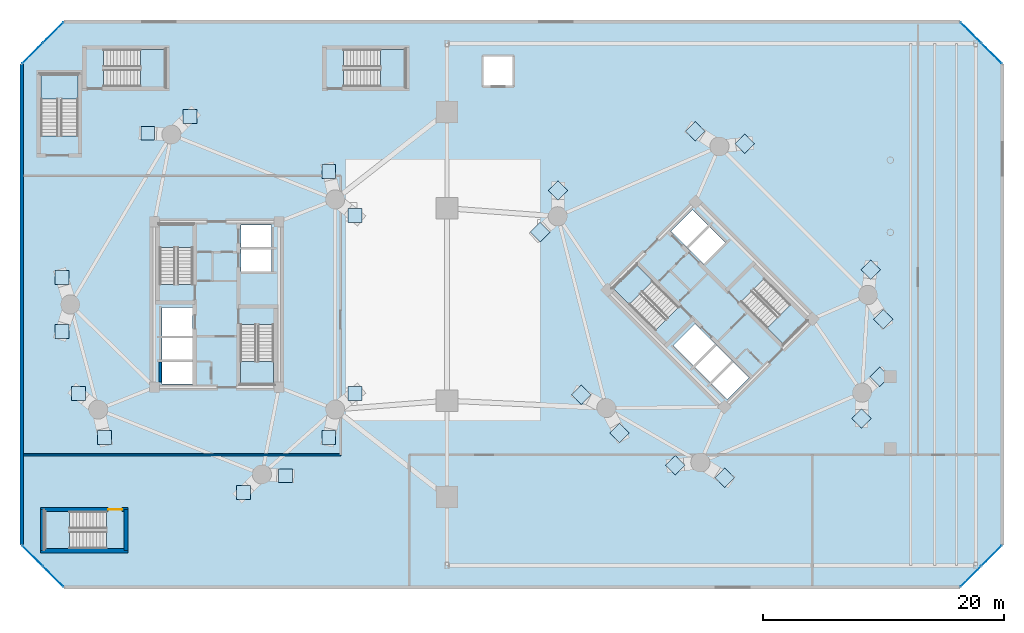
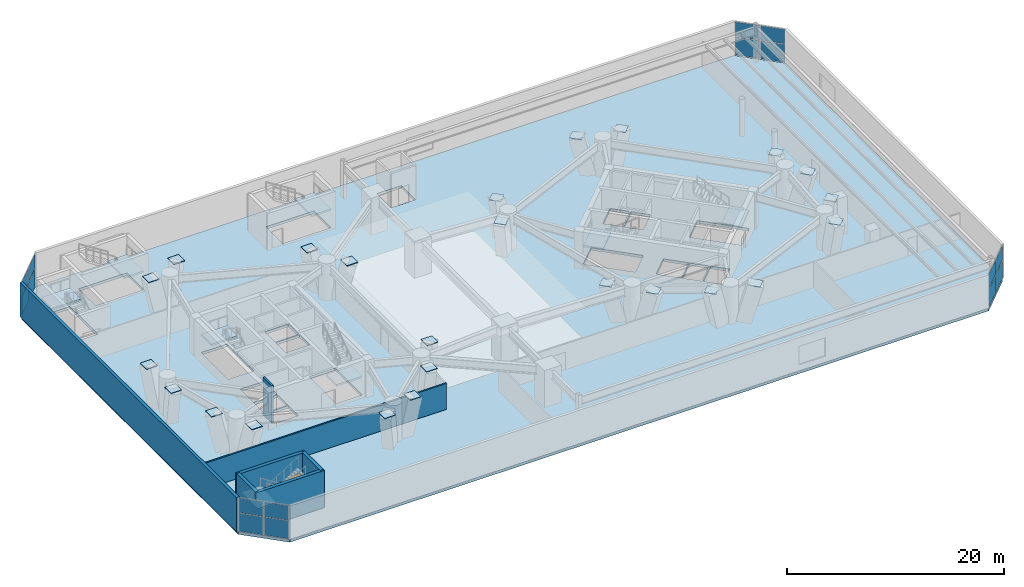
# One storey, part 10 of 20: 40 plates, 9 slabs, 7 walls, 1 door, 1 opening, 12 elements without a shape of their own.
"""IFC4 building model written with IfcOpenShell, lengths in metres."""

from ifc_helpers import new_model, si_unit, direction, frame, frame_2d, origin, origin_2d, place, context, subcontext, project, spatial, polyline, rectangle, outline, extrude, source, transform, mapped, material, layer, layer_set, type_object, element, fill, aggregate, save


model = new_model("IFC4")

# Units and contexts
model_context = context("Model", 3, precision=1e-05, world=origin(), true_north=direction((0.0, 1.0)))
body_context = subcontext(model_context, "Body", "Model", "MODEL_VIEW")
ifc_project = project(units=[si_unit("LENGTHUNIT", "METRE"), si_unit("AREAUNIT", "SQUARE_METRE"), si_unit("VOLUMEUNIT", "CUBIC_METRE"), si_unit("PLANEANGLEUNIT", "RADIAN"), si_unit("MASSUNIT", "GRAM", prefix="KILO")], contexts=[model_context])

# Site, building, storey
site_placement = place(None, origin())
site = spatial("IfcSite", under=ifc_project, at=site_placement, CompositionType="ELEMENT")
building_placement = place(site_placement, origin())
building = spatial("IfcBuilding", under=site, at=building_placement, Name="Cununo Teusaquillo Station Towers", CompositionType="ELEMENT")
storey_placement = place(building_placement, frame((0.0, 0.0, 4.800048828125)))
storey = spatial("IfcBuildingStorey", under=building, at=storey_placement, Name="L01", CompositionType="ELEMENT", Elevation=4.800048828125)

# Slab
ifc_material_1 = material(Name="Concrete C50/60", Category="concrete")
ifc_layer_1 = layer(ifc_material_1, 0.300048828125)
ifc_layer_set_1 = layer_set([ifc_layer_1], Name="Concrete C50/60")
slab_type_1 = type_object("IfcSlabType", Name="SLB-POD-300", PredefinedType="FLOOR", material=ifc_layer_set_1)
slab_1_placement = place(storey_placement, frame((0.0, 0.0, -0.300048828125)))
element("IfcSlab", 1, at=slab_1_placement, inside=storey, type_object=slab_type_1, Name="L01 Structural Slab", PredefinedType="FLOOR", context=body_context, shape_type="SweptSolid", body=[
    extrude(outline(polyline([(3.800048828125, 1.0), (78.300048828125, 1.0), (81.800048828125, 4.5), (81.800048828125, 44.5), (78.300048828125, 48.0), (3.800048828125, 48.0), (0.300048828125, 44.5), (0.300048828125, 4.5), (3.800048828125, 1.0)]), holes=[polyline([(14.52001953125, 26.176025390625), (14.52001953125, 31.159912109375), (11.760009765625, 31.159912109375), (11.760009765625, 26.176025390625), (14.52001953125, 26.176025390625)]), polyline([(18.47998046875, 22.823974609375), (18.47998046875, 17.840087890625), (21.239990234375, 17.840087890625), (21.239990234375, 22.823974609375), (18.47998046875, 22.823974609375)]), polyline([(54.914794921875, 24.28515625), (51.390625, 27.809326171875), (49.43896484375, 25.857666015625), (52.963134765625, 22.33349609375), (54.914794921875, 24.28515625)]), polyline([(60.085205078125, 24.71484375), (63.609375, 21.190673828125), (65.56103515625, 23.142333984375), (62.036865234375, 26.66650390625), (60.085205078125, 24.71484375)]), polyline([(27.055908203125, 42.60009765625), (32.199951171875, 42.60009765625), (32.199951171875, 45.699951171875), (27.055908203125, 45.699951171875), (27.055908203125, 42.60009765625)]), polyline([(7.343994140625, 7.300048828125), (2.199951171875, 7.300048828125), (2.199951171875, 4.199951171875), (7.343994140625, 4.199951171875), (7.343994140625, 7.300048828125)]), polyline([(4.97998046875, 38.506103515625), (4.97998046875, 43.64990234375), (1.8798828125, 43.64990234375), (1.8798828125, 38.506103515625), (4.97998046875, 38.506103515625)]), polyline([(7.10595703125, 42.60009765625), (12.25, 42.60009765625), (12.25, 45.699951171875), (7.10595703125, 45.699951171875), (7.10595703125, 42.60009765625)]), polyline([(11.949951171875, 21.85009765625), (14.47998046875, 21.85009765625), (14.47998046875, 24.25), (11.949951171875, 24.25), (11.949951171875, 21.85009765625)]), polyline([(11.949951171875, 17.89990234375), (14.47998046875, 17.89990234375), (14.47998046875, 19.75), (11.949951171875, 19.75), (11.949951171875, 17.89990234375)]), polyline([(11.949951171875, 19.89990234375), (14.47998046875, 19.89990234375), (14.47998046875, 21.75), (11.949951171875, 21.75), (11.949951171875, 19.89990234375)]), polyline([(18.52001953125, 27.25), (21.050048828125, 27.25), (21.050048828125, 29.10009765625), (18.52001953125, 29.10009765625), (18.52001953125, 27.25)]), polyline([(18.52001953125, 29.25), (21.050048828125, 29.25), (21.050048828125, 31.10009765625), (18.52001953125, 31.10009765625), (18.52001953125, 29.25)]), polyline([(56.156494140625, 19.40869140625), (57.945556640625, 21.19775390625), (56.248291015625, 22.89501953125), (54.45947265625, 21.10595703125), (56.156494140625, 19.40869140625)]), polyline([(58.94970703125, 16.61572265625), (60.738525390625, 18.40478515625), (59.430419921875, 19.712890625), (57.641357421875, 17.923828125), (58.94970703125, 16.61572265625)]), polyline([(57.535400390625, 18.030029296875), (59.32421875, 19.819091796875), (58.01611328125, 21.127197265625), (56.227294921875, 19.338134765625), (57.535400390625, 18.030029296875)]), polyline([(56.98388671875, 27.872802734375), (58.772705078125, 29.661865234375), (57.464599609375, 30.969970703125), (55.67578125, 29.180908203125), (56.98388671875, 27.872802734375)]), polyline([(55.569580078125, 29.287109375), (57.358642578125, 31.076171875), (56.05029296875, 32.38427734375), (54.261474609375, 30.59521484375), (55.569580078125, 29.287109375)]), polyline([(38.60009765625, 42.60009765625), (41.199951171875, 42.60009765625), (41.199951171875, 45.199951171875), (38.60009765625, 45.199951171875), (38.60009765625, 42.60009765625)])]), origin(), (0.0, 0.0, 1.0), 0.300048828125),
])

# Stair, slab
ifc_material_2 = material(Name="Concrete C50/60", Category="concrete")
stair_type_1 = type_object("IfcStairType", Name="ST-TWR-1300", PredefinedType="HALF_TURN_STAIR", material=ifc_material_2)
stair_1_placement = place(storey_placement, origin())
stair_1 = element("IfcStair", 2, at=stair_1_placement, inside=storey, type_object=stair_type_1, Name="L01 Tower A Protected Core Exit Stair 1", PredefinedType="HALF_TURN_STAIR")
ifc_material_3 = material(Name="Concrete C50/60", Category="concrete")
ifc_layer_2 = layer(ifc_material_3, 0.199951171875)
ifc_layer_set_2 = layer_set([ifc_layer_2], Name="Concrete C50/60")
slab_type_2 = type_object("IfcSlabType", Name="SLB-STAIR-LND", PredefinedType="LANDING", material=ifc_layer_set_2)
slab_2_placement = place(storey_placement, frame((0.0, 0.0, 1.89990234375)))
slab_2 = element("IfcSlab", 3, at=slab_2_placement, type_object=slab_type_2, Name="ST-T1-1 landing 1", PredefinedType="LANDING", context=body_context, shape_type="SweptSolid", body=[
    extrude(outline(polyline([(14.52001953125, 29.25), (14.52001953125, 31.159912109375), (11.760009765625, 31.159912109375), (11.760009765625, 29.25), (14.52001953125, 29.25)])), origin(), (0.0, 0.0, 1.0), 0.199951171875),
])
aggregate(stair_1, [slab_2])

stair_2_placement = place(storey_placement, origin())
stair_2 = element("IfcStair", 4, at=stair_2_placement, inside=storey, type_object=stair_type_1, Name="L01 Tower A Protected Core Exit Stair 2", PredefinedType="HALF_TURN_STAIR")
slab_3_placement = place(storey_placement, frame((0.0, 0.0, 1.89990234375)))
slab_3 = element("IfcSlab", 5, at=slab_3_placement, type_object=slab_type_2, Name="ST-T1-2 landing 1", PredefinedType="LANDING", context=body_context, shape_type="SweptSolid", body=[
    extrude(outline(polyline([(18.47998046875, 19.75), (18.47998046875, 17.840087890625), (21.239990234375, 17.840087890625), (21.239990234375, 19.75), (18.47998046875, 19.75)])), origin(), (0.0, 0.0, 1.0), 0.199951171875),
])
aggregate(stair_2, [slab_3])

stair_3_placement = place(storey_placement, origin())
stair_3 = element("IfcStair", 6, at=stair_3_placement, inside=storey, type_object=stair_type_1, Name="L01 Tower B Protected Core Exit Stair 1", PredefinedType="HALF_TURN_STAIR")
slab_4_placement = place(storey_placement, frame((0.0, 0.0, 1.89990234375)))
slab_4 = element("IfcSlab", 7, at=slab_4_placement, type_object=slab_type_2, Name="ST-T2-1 landing 1", PredefinedType="LANDING", context=body_context, shape_type="SweptSolid", body=[
    extrude(outline(polyline([(52.7412109375, 26.458740234375), (51.390625, 27.809326171875), (49.43896484375, 25.857666015625), (50.78955078125, 24.507080078125), (52.7412109375, 26.458740234375)])), origin(), (0.0, 0.0, 1.0), 0.199951171875),
])
aggregate(stair_3, [slab_4])

stair_4_placement = place(storey_placement, origin())
stair_4 = element("IfcStair", 8, at=stair_4_placement, inside=storey, type_object=stair_type_1, Name="L01 Tower B Protected Core Exit Stair 2", PredefinedType="HALF_TURN_STAIR")
slab_5_placement = place(storey_placement, frame((0.0, 0.0, 1.89990234375)))
slab_5 = element("IfcSlab", 9, at=slab_5_placement, type_object=slab_type_2, Name="ST-T2-2 landing 1", PredefinedType="LANDING", context=body_context, shape_type="SweptSolid", body=[
    extrude(outline(polyline([(62.2587890625, 22.541259765625), (63.609375, 21.190673828125), (65.56103515625, 23.142333984375), (64.21044921875, 24.492919921875), (62.2587890625, 22.541259765625)])), origin(), (0.0, 0.0, 1.0), 0.199951171875),
])
aggregate(stair_4, [slab_5])

ifc_material_4 = material(Name="Concrete C50/60", Category="concrete")
stair_type_2 = type_object("IfcStairType", Name="ST-POD-1450", PredefinedType="HALF_TURN_STAIR", material=ifc_material_4)
stair_5_placement = place(storey_placement, origin())
stair_5 = element("IfcStair", 10, at=stair_5_placement, inside=storey, type_object=stair_type_2, Name="L01 Station Podium North Protected Exit Stair", PredefinedType="HALF_TURN_STAIR")
slab_6_placement = place(storey_placement, frame((0.0, 0.0, 1.89990234375)))
slab_6 = element("IfcSlab", 11, at=slab_6_placement, type_object=slab_type_2, Name="ST-POD-N landing 1", PredefinedType="LANDING", context=body_context, shape_type="SweptSolid", body=[
    extrude(outline(polyline([(30.1298828125, 42.60009765625), (32.199951171875, 42.60009765625), (32.199951171875, 45.699951171875), (30.1298828125, 45.699951171875), (30.1298828125, 42.60009765625)])), origin(), (0.0, 0.0, 1.0), 0.199951171875),
])
aggregate(stair_5, [slab_6])

stair_6_placement = place(storey_placement, origin())
stair_6 = element("IfcStair", 12, at=stair_6_placement, inside=storey, type_object=stair_type_2, Name="L01 Station Podium South Protected Exit Stair", PredefinedType="HALF_TURN_STAIR")
slab_7_placement = place(storey_placement, frame((0.0, 0.0, 1.89990234375)))
slab_7 = element("IfcSlab", 13, at=slab_7_placement, type_object=slab_type_2, Name="ST-POD-S landing 1", PredefinedType="LANDING", context=body_context, shape_type="SweptSolid", body=[
    extrude(outline(polyline([(4.27001953125, 7.300048828125), (2.199951171875, 7.300048828125), (2.199951171875, 4.199951171875), (4.27001953125, 4.199951171875), (4.27001953125, 7.300048828125)])), origin(), (0.0, 0.0, 1.0), 0.199951171875),
])
aggregate(stair_6, [slab_7])

stair_7_placement = place(storey_placement, origin())
stair_7 = element("IfcStair", 14, at=stair_7_placement, inside=storey, type_object=stair_type_2, Name="L01 Station Podium West Protected Exit Stair", PredefinedType="HALF_TURN_STAIR")
slab_8_placement = place(storey_placement, frame((0.0, 0.0, 1.89990234375)))
slab_8 = element("IfcSlab", 15, at=slab_8_placement, type_object=slab_type_2, Name="ST-POD-W landing 1", PredefinedType="LANDING", context=body_context, shape_type="SweptSolid", body=[
    extrude(outline(polyline([(4.97998046875, 41.580078125), (4.97998046875, 43.64990234375), (1.8798828125, 43.64990234375), (1.8798828125, 41.580078125), (4.97998046875, 41.580078125)])), origin(), (0.0, 0.0, 1.0), 0.199951171875),
])
aggregate(stair_7, [slab_8])

stair_8_placement = place(storey_placement, origin())
stair_8 = element("IfcStair", 16, at=stair_8_placement, inside=storey, type_object=stair_type_2, Name="L01 Station Podium North-West Protected Exit Stair", PredefinedType="HALF_TURN_STAIR")
slab_9_placement = place(storey_placement, frame((0.0, 0.0, 1.89990234375)))
slab_9 = element("IfcSlab", 17, at=slab_9_placement, type_object=slab_type_2, Name="ST-POD-C landing 1", PredefinedType="LANDING", context=body_context, shape_type="SweptSolid", body=[
    extrude(outline(polyline([(10.179931640625, 42.60009765625), (12.25, 42.60009765625), (12.25, 45.699951171875), (10.179931640625, 45.699951171875), (10.179931640625, 42.60009765625)])), origin(), (0.0, 0.0, 1.0), 0.199951171875),
])
aggregate(stair_8, [slab_9])

# Plates
ifc_material_5 = material(Name="Steel ASTM A572 Grade 50", Category="steel")
ifc_layer_3 = layer(ifc_material_5, 0.06005859375)
ifc_layer_set_3 = layer_set([ifc_layer_3], Name="Steel ASTM A572 Grade 50")
plate_type_1 = type_object("IfcPlateType", Name="PLT-NODE-BDN1", PredefinedType="USERDEFINED", material=ifc_layer_set_3)
shared_shape_1 = source(origin(), body_context, "Body", "SweptSolid", [
    extrude(rectangle(XDim=1.14990234375, YDim=1.14990234375, at=origin_2d()), origin(), (0.0, 0.0, 1.0), 0.06005859375),
])
for number, where, z_axis, x_axis, name in (
    (18, (27.988037109375, 31.90673828125, 4.139892578125), (0.0, 0.0, 1.0), (1.0, 0.0, 0.0), "L01 Tower A V-Foot Pier Head Plate V02L"),
    (19, (25.822509765625, 35.545654296875, 4.139892578125), (0.0, 0.0, 1.0), (1.0, 0.0, 0.0), "L01 Tower A V-Foot Pier Head Plate V02R"),
    (20, (14.27734375, 40.123291015625, 4.139892578125), (0.0, 0.0, 1.0), (1.0, 0.0, 0.0), "L01 Tower A V-Foot Pier Head Plate V06L"),
    (21, (10.773681640625, 38.7333984375, 4.139892578125), (0.0, 0.0, 1.0), (1.0, 0.0, 0.0), "L01 Tower A V-Foot Pier Head Plate V06R"),
    (22, (3.63818359375, 26.748779296875, 4.139892578125), (0.0, 0.0, 1.0), (1.0, 0.0, 0.0), "L01 Tower A V-Foot Pier Head Plate V10L"),
    (23, (3.63818359375, 22.251220703125, 4.139892578125), (0.0, 0.0, 1.0), (1.0, 0.0, 0.0), "L01 Tower A V-Foot Pier Head Plate V10R"),
    (24, (5.011962890625, 17.09326171875, 4.139892578125), (0.0, 0.0, 1.0), (1.0, 0.0, 0.0), "L01 Tower A V-Foot Pier Head Plate V12L"),
    (25, (7.177490234375, 13.454345703125, 4.139892578125), (0.0, 0.0, 1.0), (1.0, 0.0, 0.0), "L01 Tower A V-Foot Pier Head Plate V12R"),
    (26, (18.72265625, 8.876708984375, 4.139892578125), (0.0, 0.0, 1.0), (1.0, 0.0, 0.0), "L01 Tower A V-Foot Pier Head Plate V16L"),
    (27, (22.226318359375, 10.2666015625, 4.139892578125), (0.0, 0.0, 1.0), (1.0, 0.0, 0.0), "L01 Tower A V-Foot Pier Head Plate V16R"),
    (28, (25.822509765625, 13.454345703125, 4.139892578125), (0.0, 0.0, 1.0), (1.0, 0.0, 0.0), "L01 Tower A V-Foot Pier Head Plate V18L"),
    (29, (27.988037109375, 17.09326171875, 4.139892578125), (0.0, 0.0, 1.0), (1.0, 0.0, 0.0), "L01 Tower A V-Foot Pier Head Plate V18R"),
    (30, (60.385986328125, 37.860595703125, 4.139892578125), (0.0, 0.0, 1.0), (0.707106781187, 0.707106781187, 0.0), "L01 Tower B V-Foot Pier Head Plate V02L"),
    (31, (56.281494140625, 38.902587890625, 4.139892578125), (0.0, 0.0, 1.0), (0.707106781187, 0.707106781187, 0.0), "L01 Tower B V-Foot Pier Head Plate V02R"),
    (32, (44.881103515625, 33.9755859375, 4.139892578125), (0.0, 0.0, 1.0), (0.707106781187, 0.707106781187, 0.0), "L01 Tower B V-Foot Pier Head Plate V06L"),
    (33, (43.386474609375, 30.515380859375, 4.139892578125), (0.0, 0.0, 1.0), (0.707106781187, 0.707106781187, 0.0), "L01 Tower B V-Foot Pier Head Plate V06R"),
    (34, (46.815185546875, 16.99560546875, 4.139892578125), (0.0, 0.0, 1.0), (0.707106781187, 0.707106781187, 0.0), "L01 Tower B V-Foot Pier Head Plate V10L"),
    (35, (49.99560546875, 13.815185546875, 4.139892578125), (0.0, 0.0, 1.0), (0.707106781187, 0.707106781187, 0.0), "L01 Tower B V-Foot Pier Head Plate V10R"),
    (36, (54.614013671875, 11.139404296875, 4.139892578125), (0.0, 0.0, 1.0), (0.707106781187, 0.707106781187, 0.0), "L01 Tower B V-Foot Pier Head Plate V12L"),
    (37, (58.718505859375, 10.097412109375, 4.139892578125), (0.0, 0.0, 1.0), (0.707106781187, 0.707106781187, 0.0), "L01 Tower B V-Foot Pier Head Plate V12R"),
    (38, (70.118896484375, 15.0244140625, 4.139892578125), (0.0, 0.0, 1.0), (0.707106781187, 0.707106781187, 0.0), "L01 Tower B V-Foot Pier Head Plate V16L"),
    (39, (71.613525390625, 18.484619140625, 4.139892578125), (0.0, 0.0, 1.0), (0.707106781187, 0.707106781187, 0.0), "L01 Tower B V-Foot Pier Head Plate V16R"),
    (40, (71.902587890625, 23.281494140625, 4.139892578125), (0.0, 0.0, 1.0), (0.707106781187, 0.707106781187, 0.0), "L01 Tower B V-Foot Pier Head Plate V18L"),
    (41, (70.860595703125, 27.385986328125, 4.139892578125), (0.0, 0.0, 1.0), (0.707106781187, 0.707106781187, 0.0), "L01 Tower B V-Foot Pier Head Plate V18R"),
):
    element("IfcPlate", number, at=place(storey_placement, frame(where, z_axis=z_axis, x_axis=x_axis)), inside=storey, type_object=plate_type_1, Name=name, ObjectType="BASE PLATE", PredefinedType="USERDEFINED", context=body_context, shape_type="MappedRepresentation", body=[
        mapped(shared_shape_1, transform((0.0, 0.0, 0.0), x_axis=(1.0, 0.0, 0.0), y_axis=(0.0, 1.0, 0.0), z_axis=(0.0, 0.0, 1.0), scale=1.0)),
    ])

# Curtain wall, plates
ifc_material_6 = material(Name="Ceramic-fritted dark low-E double glazing", Category="glass")
ifc_layer_4 = layer(ifc_material_6, 0.179931640625)
ifc_layer_set_4 = layer_set([ifc_layer_4], Name="Ceramic-fritted dark low-E double glazing")
curtain_wall_type = type_object("IfcCurtainWallType", Name="CW-SYS-01", PredefinedType="USERDEFINED", material=ifc_layer_set_4)
curtain_wall_1_placement = place(storey_placement, origin())
curtain_wall_1 = element("IfcCurtainWall", 42, at=curtain_wall_1_placement, inside=storey, type_object=curtain_wall_type, Name="L01 Station Podium Corner Curtain Wall 2", ObjectType="FRITTED GLAZING", PredefinedType="USERDEFINED")
ifc_material_7 = material(Name="Ceramic-fritted dark low-E double glazing", Category="glass")
ifc_layer_5 = layer(ifc_material_7, 0.028076171875)
ifc_layer_set_5 = layer_set([ifc_layer_5], Name="Ceramic-fritted dark low-E double glazing")
plate_type_2 = type_object("IfcPlateType", Name="CWP-FRIT-28", PredefinedType="CURTAIN_PANEL", material=ifc_layer_set_5)
shared_shape_2 = source(origin(), body_context, "Body", "SweptSolid", [
    extrude(rectangle(XDim=2.35498046875, YDim=0.028076171875, at=origin_2d()), origin(), (0.0, 0.0, 1.0), 2.031982421875),
])
plate_1_placement = place(storey_placement, frame((1.189208984375, 45.38916015625, 0.06982421875), z_axis=(0.0, 0.0, 1.0), x_axis=(0.707106781187, 0.707106781187, 0.0)))
plate_1 = element("IfcPlate", 43, at=plate_1_placement, type_object=plate_type_2, Name="CW-01 panel 1.1", PredefinedType="CURTAIN_PANEL", context=body_context, shape_type="MappedRepresentation", body=[
    mapped(shared_shape_2, transform((0.0, 0.0, 0.0), x_axis=(1.0, 0.0, 0.0), y_axis=(0.0, 1.0, 0.0), z_axis=(0.0, 0.0, 1.0), scale=1.0)),
])
plate_2_placement = place(storey_placement, frame((2.910888671875, 47.11083984375, 0.06982421875), z_axis=(0.0, 0.0, 1.0), x_axis=(0.707106781187, 0.707106781187, 0.0)))
plate_2 = element("IfcPlate", 44, at=plate_2_placement, type_object=plate_type_2, Name="CW-01 panel 2.1", PredefinedType="CURTAIN_PANEL", context=body_context, shape_type="MappedRepresentation", body=[
    mapped(shared_shape_2, transform((0.0, 0.0, 0.0), x_axis=(1.0, 0.0, 0.0), y_axis=(0.0, 1.0, 0.0), z_axis=(0.0, 0.0, 1.0), scale=1.0)),
])

curtain_wall_2_placement = place(storey_placement, origin())
curtain_wall_2 = element("IfcCurtainWall", 45, at=curtain_wall_2_placement, inside=storey, type_object=curtain_wall_type, Name="L01 Station Podium Corner Curtain Wall 4", ObjectType="FRITTED GLAZING", PredefinedType="USERDEFINED")
plate_3_placement = place(storey_placement, frame((79.189208984375, 47.11083984375, 0.06982421875), z_axis=(0.0, 0.0, 1.0), x_axis=(0.707106781187, -0.707106781187, 0.0)))
plate_3 = element("IfcPlate", 46, at=plate_3_placement, type_object=plate_type_2, Name="CW-01 panel 1.1", PredefinedType="CURTAIN_PANEL", context=body_context, shape_type="MappedRepresentation", body=[
    mapped(shared_shape_2, transform((0.0, 0.0, 0.0), x_axis=(1.0, 0.0, 0.0), y_axis=(0.0, 1.0, 0.0), z_axis=(0.0, 0.0, 1.0), scale=1.0)),
])
plate_4_placement = place(storey_placement, frame((80.910888671875, 45.38916015625, 0.06982421875), z_axis=(0.0, 0.0, 1.0), x_axis=(0.707106781187, -0.707106781187, 0.0)))
plate_4 = element("IfcPlate", 47, at=plate_4_placement, type_object=plate_type_2, Name="CW-01 panel 2.1", PredefinedType="CURTAIN_PANEL", context=body_context, shape_type="MappedRepresentation", body=[
    mapped(shared_shape_2, transform((0.0, 0.0, 0.0), x_axis=(1.0, 0.0, 0.0), y_axis=(0.0, 1.0, 0.0), z_axis=(0.0, 0.0, 1.0), scale=1.0)),
])

curtain_wall_3_placement = place(storey_placement, origin())
curtain_wall_3 = element("IfcCurtainWall", 48, at=curtain_wall_3_placement, inside=storey, type_object=curtain_wall_type, Name="L01 Station Podium Corner Curtain Wall 6", ObjectType="FRITTED GLAZING", PredefinedType="USERDEFINED")
plate_5_placement = place(storey_placement, frame((80.910888671875, 3.61083984375, 0.06982421875), z_axis=(0.0, 0.0, 1.0), x_axis=(-0.707106781187, -0.707106781187, 0.0)))
plate_5 = element("IfcPlate", 49, at=plate_5_placement, type_object=plate_type_2, Name="CW-01 panel 1.1", PredefinedType="CURTAIN_PANEL", context=body_context, shape_type="MappedRepresentation", body=[
    mapped(shared_shape_2, transform((0.0, 0.0, 0.0), x_axis=(1.0, 0.0, 0.0), y_axis=(0.0, 1.0, 0.0), z_axis=(0.0, 0.0, 1.0), scale=1.0)),
])
plate_6_placement = place(storey_placement, frame((79.189208984375, 1.88916015625, 0.06982421875), z_axis=(0.0, 0.0, 1.0), x_axis=(-0.707106781187, -0.707106781187, 0.0)))
plate_6 = element("IfcPlate", 50, at=plate_6_placement, type_object=plate_type_2, Name="CW-01 panel 2.1", PredefinedType="CURTAIN_PANEL", context=body_context, shape_type="MappedRepresentation", body=[
    mapped(shared_shape_2, transform((0.0, 0.0, 0.0), x_axis=(1.0, 0.0, 0.0), y_axis=(0.0, 1.0, 0.0), z_axis=(0.0, 0.0, 1.0), scale=1.0)),
])

curtain_wall_4_placement = place(storey_placement, origin())
curtain_wall_4 = element("IfcCurtainWall", 51, at=curtain_wall_4_placement, inside=storey, type_object=curtain_wall_type, Name="L01 Station Podium Corner Curtain Wall 8", ObjectType="FRITTED GLAZING", PredefinedType="USERDEFINED")
plate_7_placement = place(storey_placement, frame((2.910888671875, 1.88916015625, 0.06982421875), z_axis=(0.0, 0.0, 1.0), x_axis=(-0.707106781187, 0.707106781187, 0.0)))
plate_7 = element("IfcPlate", 52, at=plate_7_placement, type_object=plate_type_2, Name="CW-01 panel 1.1", PredefinedType="CURTAIN_PANEL", context=body_context, shape_type="MappedRepresentation", body=[
    mapped(shared_shape_2, transform((0.0, 0.0, 0.0), x_axis=(1.0, 0.0, 0.0), y_axis=(0.0, 1.0, 0.0), z_axis=(0.0, 0.0, 1.0), scale=1.0)),
])
plate_8_placement = place(storey_placement, frame((1.189208984375, 3.61083984375, 0.06982421875), z_axis=(0.0, 0.0, 1.0), x_axis=(-0.707106781187, 0.707106781187, 0.0)))
plate_8 = element("IfcPlate", 53, at=plate_8_placement, type_object=plate_type_2, Name="CW-01 panel 2.1", PredefinedType="CURTAIN_PANEL", context=body_context, shape_type="MappedRepresentation", body=[
    mapped(shared_shape_2, transform((0.0, 0.0, 0.0), x_axis=(1.0, 0.0, 0.0), y_axis=(0.0, 1.0, 0.0), z_axis=(0.0, 0.0, 1.0), scale=1.0)),
])

# Plate
shared_shape_3 = source(origin(), body_context, "Body", "SweptSolid", [
    extrude(rectangle(XDim=2.35498046875, YDim=0.028076171875, at=origin_2d()), origin(), (0.0, 0.0, 1.0), 1.64306640625),
])
plate_9_placement = place(storey_placement, frame((1.189208984375, 45.38916015625, 2.171875), z_axis=(0.0, 0.0, 1.0), x_axis=(0.707106781187, 0.707106781187, 0.0)))
plate_9 = element("IfcPlate", 54, at=plate_9_placement, type_object=plate_type_2, Name="CW-01 panel 1.2", PredefinedType="CURTAIN_PANEL", context=body_context, shape_type="MappedRepresentation", body=[
    mapped(shared_shape_3, transform((0.0, 0.0, 0.0), x_axis=(1.0, 0.0, 0.0), y_axis=(0.0, 1.0, 0.0), z_axis=(0.0, 0.0, 1.0), scale=1.0)),
])

plate_10_placement = place(storey_placement, frame((2.910888671875, 47.11083984375, 2.171875), z_axis=(0.0, 0.0, 1.0), x_axis=(0.707106781187, 0.707106781187, 0.0)))
plate_10 = element("IfcPlate", 55, at=plate_10_placement, type_object=plate_type_2, Name="CW-01 panel 2.2", PredefinedType="CURTAIN_PANEL", context=body_context, shape_type="MappedRepresentation", body=[
    mapped(shared_shape_3, transform((0.0, 0.0, 0.0), x_axis=(1.0, 0.0, 0.0), y_axis=(0.0, 1.0, 0.0), z_axis=(0.0, 0.0, 1.0), scale=1.0)),
])

aggregate(curtain_wall_1, [plate_1, plate_9, plate_2, plate_10])

plate_11_placement = place(storey_placement, frame((79.189208984375, 47.11083984375, 2.171875), z_axis=(0.0, 0.0, 1.0), x_axis=(0.707106781187, -0.707106781187, 0.0)))
plate_11 = element("IfcPlate", 56, at=plate_11_placement, type_object=plate_type_2, Name="CW-01 panel 1.2", PredefinedType="CURTAIN_PANEL", context=body_context, shape_type="MappedRepresentation", body=[
    mapped(shared_shape_3, transform((0.0, 0.0, 0.0), x_axis=(1.0, 0.0, 0.0), y_axis=(0.0, 1.0, 0.0), z_axis=(0.0, 0.0, 1.0), scale=1.0)),
])

plate_12_placement = place(storey_placement, frame((80.910888671875, 45.38916015625, 2.171875), z_axis=(0.0, 0.0, 1.0), x_axis=(0.707106781187, -0.707106781187, 0.0)))
plate_12 = element("IfcPlate", 57, at=plate_12_placement, type_object=plate_type_2, Name="CW-01 panel 2.2", PredefinedType="CURTAIN_PANEL", context=body_context, shape_type="MappedRepresentation", body=[
    mapped(shared_shape_3, transform((0.0, 0.0, 0.0), x_axis=(1.0, 0.0, 0.0), y_axis=(0.0, 1.0, 0.0), z_axis=(0.0, 0.0, 1.0), scale=1.0)),
])

aggregate(curtain_wall_2, [plate_3, plate_11, plate_4, plate_12])

plate_13_placement = place(storey_placement, frame((80.910888671875, 3.61083984375, 2.171875), z_axis=(0.0, 0.0, 1.0), x_axis=(-0.707106781187, -0.707106781187, 0.0)))
plate_13 = element("IfcPlate", 58, at=plate_13_placement, type_object=plate_type_2, Name="CW-01 panel 1.2", PredefinedType="CURTAIN_PANEL", context=body_context, shape_type="MappedRepresentation", body=[
    mapped(shared_shape_3, transform((0.0, 0.0, 0.0), x_axis=(1.0, 0.0, 0.0), y_axis=(0.0, 1.0, 0.0), z_axis=(0.0, 0.0, 1.0), scale=1.0)),
])

plate_14_placement = place(storey_placement, frame((79.189208984375, 1.88916015625, 2.171875), z_axis=(0.0, 0.0, 1.0), x_axis=(-0.707106781187, -0.707106781187, 0.0)))
plate_14 = element("IfcPlate", 59, at=plate_14_placement, type_object=plate_type_2, Name="CW-01 panel 2.2", PredefinedType="CURTAIN_PANEL", context=body_context, shape_type="MappedRepresentation", body=[
    mapped(shared_shape_3, transform((0.0, 0.0, 0.0), x_axis=(1.0, 0.0, 0.0), y_axis=(0.0, 1.0, 0.0), z_axis=(0.0, 0.0, 1.0), scale=1.0)),
])

aggregate(curtain_wall_3, [plate_5, plate_13, plate_6, plate_14])

plate_15_placement = place(storey_placement, frame((2.910888671875, 1.88916015625, 2.171875), z_axis=(0.0, 0.0, 1.0), x_axis=(-0.707106781187, 0.707106781187, 0.0)))
plate_15 = element("IfcPlate", 60, at=plate_15_placement, type_object=plate_type_2, Name="CW-01 panel 1.2", PredefinedType="CURTAIN_PANEL", context=body_context, shape_type="MappedRepresentation", body=[
    mapped(shared_shape_3, transform((0.0, 0.0, 0.0), x_axis=(1.0, 0.0, 0.0), y_axis=(0.0, 1.0, 0.0), z_axis=(0.0, 0.0, 1.0), scale=1.0)),
])

plate_16_placement = place(storey_placement, frame((1.189208984375, 3.61083984375, 2.171875), z_axis=(0.0, 0.0, 1.0), x_axis=(-0.707106781187, 0.707106781187, 0.0)))
plate_16 = element("IfcPlate", 61, at=plate_16_placement, type_object=plate_type_2, Name="CW-01 panel 2.2", PredefinedType="CURTAIN_PANEL", context=body_context, shape_type="MappedRepresentation", body=[
    mapped(shared_shape_3, transform((0.0, 0.0, 0.0), x_axis=(1.0, 0.0, 0.0), y_axis=(0.0, 1.0, 0.0), z_axis=(0.0, 0.0, 1.0), scale=1.0)),
])

aggregate(curtain_wall_4, [plate_7, plate_15, plate_8, plate_16])

# Walls
ifc_material_8 = material(Name="Concrete C50/60", Category="concrete")
ifc_layer_6 = layer(ifc_material_8, 0.199951171875)
ifc_layer_set_6 = layer_set([ifc_layer_6], Name="Concrete C50/60")
wall_type_1 = type_object("IfcWallType", Name="WL-CORE-200", PredefinedType="SHEAR", material=ifc_layer_set_6)
wall_1_placement = place(storey_placement, frame((11.820068359375, 18.070068359375, 0.0), z_axis=(0.0, 0.0, 1.0), x_axis=(0.0, 1.0, 0.0)))
element("IfcWall", 62, at=wall_1_placement, inside=storey, type_object=wall_type_1, Name="L01 Tower A High-Rise Lift 1 Shaft Rear Shear Wall", PredefinedType="SHEAR", context=body_context, shape_type="SweptSolid", body=[
    extrude(rectangle(XDim=1.635009765625, YDim=0.199951171875, at=frame_2d((0.8173828125, 0.0))), origin(), (0.0, 0.0, 1.0), 4.199951171875),
])
ifc_material_9 = material(Name="Concrete C50/60", Category="concrete")
ifc_layer_7 = layer(ifc_material_9, 0.35009765625)
ifc_layer_set_7 = layer_set([ifc_layer_7], Name="Concrete C50/60")
wall_type_2 = type_object("IfcWallType", Name="WL-CORE-350", PredefinedType="SHEAR", material=ifc_layer_set_7)
wall_2_placement = place(storey_placement, frame((1.860107421875, 4.034912109375, 0.0), z_axis=(0.0, 0.0, 1.0), x_axis=(1.0, 0.0, 0.0)))
element("IfcWall", 63, at=wall_2_placement, inside=storey, type_object=wall_type_2, Name="L01 Podium South Exit Stair Concrete Shaft Wall S", PredefinedType="SHEAR", context=body_context, shape_type="SweptSolid", body=[
    extrude(rectangle(XDim=7.27978515625, YDim=0.35009765625, at=frame_2d((3.639892578125, 0.0))), origin(), (0.0, 0.0, 1.0), 4.199951171875),
])

# Wall, opening, door
wall_3_placement = place(storey_placement, frame((1.860107421875, 7.465087890625, 0.0), z_axis=(0.0, 0.0, 1.0), x_axis=(1.0, 0.0, 0.0)))
wall_3 = element("IfcWall", 64, at=wall_3_placement, inside=storey, type_object=wall_type_2, Name="L01 Podium South Exit Stair Concrete Shaft Wall N", PredefinedType="SHEAR", context=body_context, shape_type="SweptSolid", body=[
    extrude(rectangle(XDim=7.27978515625, YDim=0.35009765625, at=frame_2d((3.639892578125, 0.0))), origin(), (0.0, 0.0, 1.0), 4.199951171875),
])
shared_shape_4 = source(origin(), body_context, "Body", "SweptSolid", [
    extrude(rectangle(XDim=1.14990234375, YDim=2.02001953125, at=frame_2d((0.574951171875, 1.010009765625))), frame((0.0, 0.18505859375, 0.0), z_axis=(0.0, -1.0, 0.0), x_axis=(1.0, 0.0, 0.0)), (0.0, 0.0, 1.0), 0.3701171875),
])
opening_placement = place(wall_3_placement, frame((5.6201171875, 0.0, 0.0)))
opening = element("IfcOpeningElement", 65, at=opening_placement, cuts=wall_3, Name="Opening D-ST1", PredefinedType="OPENING", context=body_context, shape_type="MappedRepresentation", body=[
    mapped(shared_shape_4, transform((0.0, 0.0, 0.0), x_axis=(1.0, 0.0, 0.0), y_axis=(0.0, 1.0, 0.0), z_axis=(0.0, 0.0, 1.0), scale=1.0)),
])
ifc_material_10 = material(Name="Galvanised fire-rated hollow steel door assembly", Category="steel")
door_type = type_object("IfcDoorType", Name="DR-STAIR-1150", OperationType="NOTDEFINED", PredefinedType="DOOR", material=ifc_material_10)
shared_shape_5 = source(origin(), body_context, "Body", "SweptSolid", [
    extrude(rectangle(XDim=1.14990234375, YDim=2.02001953125, at=frame_2d((0.574951171875, 1.010009765625))), frame((0.0, 0.02490234375, 0.0), z_axis=(0.0, -1.0, 0.0), x_axis=(1.0, 0.0, 0.0)), (0.0, 0.0, 1.0), 0.050048828125),
])
door_placement = place(opening_placement, origin())
door = element("IfcDoor", 66, at=door_placement, inside=storey, type_object=door_type, Name="L01 South Podium Exit Stair Door", OperationType="SINGLE_SWING_RIGHT", OverallHeight=2.02001953125, OverallWidth=1.14990234375, PredefinedType="DOOR", context=body_context, shape_type="MappedRepresentation", body=[
    mapped(shared_shape_5, transform((0.0, 0.0, 0.0), x_axis=(1.0, 0.0, 0.0), y_axis=(0.0, 1.0, 0.0), z_axis=(0.0, 0.0, 1.0), scale=1.0)),
])
fill(opening, door)

# Walls
for number, where, z_axis, x_axis, name in (
    (67, (2.034912109375, 4.034912109375, 0.0), (0.0, 0.0, 1.0), (0.0, 1.0, 0.0), "L01 Podium South Exit Stair Concrete Shaft Wall W"),
    (68, (8.965087890625, 4.034912109375, 0.0), (0.0, 0.0, 1.0), (0.0, 1.0, 0.0), "L01 Podium South Exit Stair Concrete Shaft Wall E"),
):
    element("IfcWall", number, at=place(storey_placement, frame(where, z_axis=z_axis, x_axis=x_axis)), inside=storey, type_object=wall_type_2, Name=name, PredefinedType="SHEAR", context=body_context, shape_type="SweptSolid", body=[
        extrude(rectangle(XDim=3.43017578125, YDim=0.35009765625, at=frame_2d((1.715087890625, 0.0))), origin(), (0.0, 0.0, 1.0), 4.199951171875),
    ])
ifc_material_11 = material(Name="Precast concrete C40/50", Category="concrete")
ifc_layer_8 = layer(ifc_material_11, 0.300048828125)
ifc_layer_set_8 = layer_set([ifc_layer_8], Name="Precast concrete C40/50")
wall_type_3 = type_object("IfcWallType", Name="WL-EXT-300", PredefinedType="SOLIDWALL", material=ifc_layer_set_8)
wall_4_placement = place(storey_placement, frame((0.300048828125, 4.5, 0.0), z_axis=(0.0, 0.0, 1.0), x_axis=(0.0, 1.0, 0.0)))
element("IfcWall", 69, at=wall_4_placement, inside=storey, type_object=wall_type_3, Name="L01 Station Podium Facade Wall 1", PredefinedType="SOLIDWALL", context=body_context, shape_type="SweptSolid", body=[
    extrude(rectangle(XDim=40.0, YDim=0.300048828125, at=frame_2d((20.0, 0.0))), origin(), (0.0, 0.0, 1.0), 3.885009765625),
])
ifc_material_12 = material(Name="Fire-rated gypsum plasterboard partition assembly", Category="gypsum")
ifc_layer_9 = layer(ifc_material_12, 0.159912109375)
ifc_layer_set_9 = layer_set([ifc_layer_9], Name="Fire-rated gypsum plasterboard partition assembly")
wall_type_4 = type_object("IfcWallType", Name="WL-PART-160", PredefinedType="PARTITIONING", material=ifc_layer_set_9)
wall_5_placement = place(storey_placement, frame((0.449951171875, 12.0, 0.0), z_axis=(0.0, 0.0, 1.0), x_axis=(1.0, 0.0, 0.0)))
element("IfcWall", 70, at=wall_5_placement, inside=storey, type_object=wall_type_4, Name="L01 West Wing South Wall", PredefinedType="PARTITIONING", context=body_context, shape_type="SweptSolid", body=[
    extrude(rectangle(XDim=26.35009765625, YDim=0.159912109375, at=frame_2d((13.175048828125, 0.0))), origin(), (0.0, 0.0, 1.0), 2.928955078125),
])

save(model, "model.ifc")
